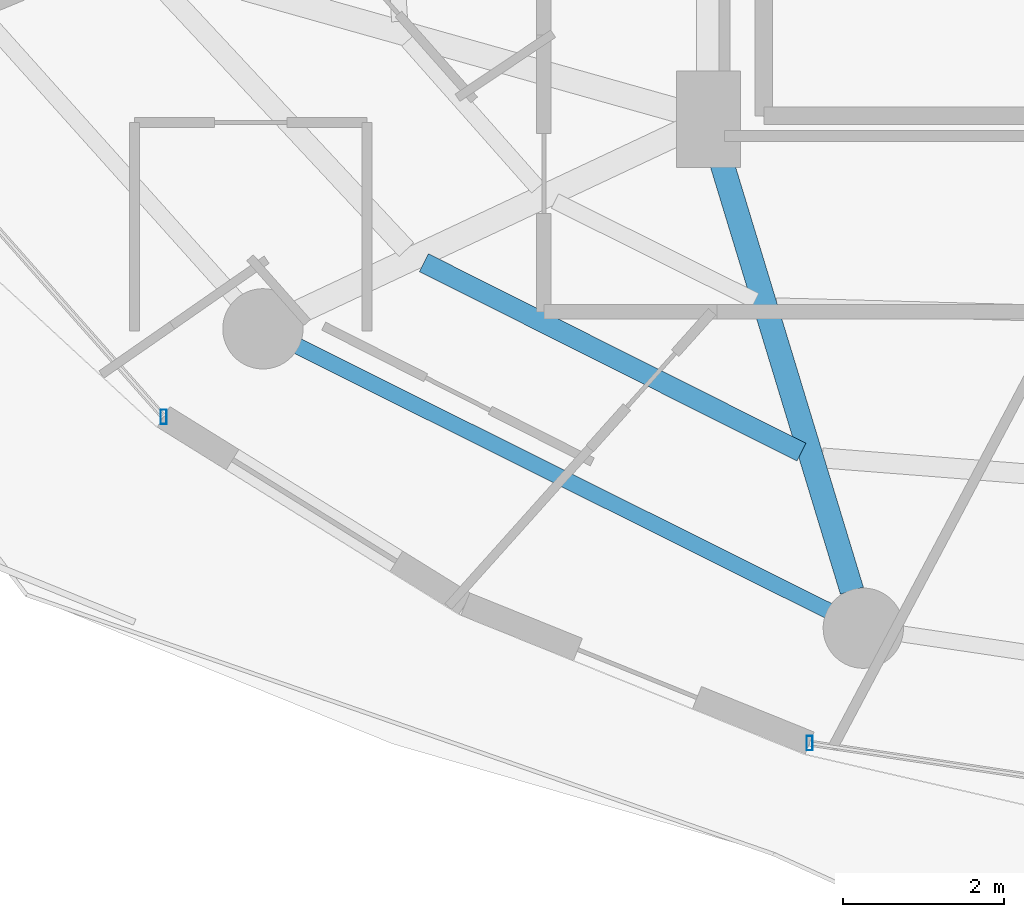
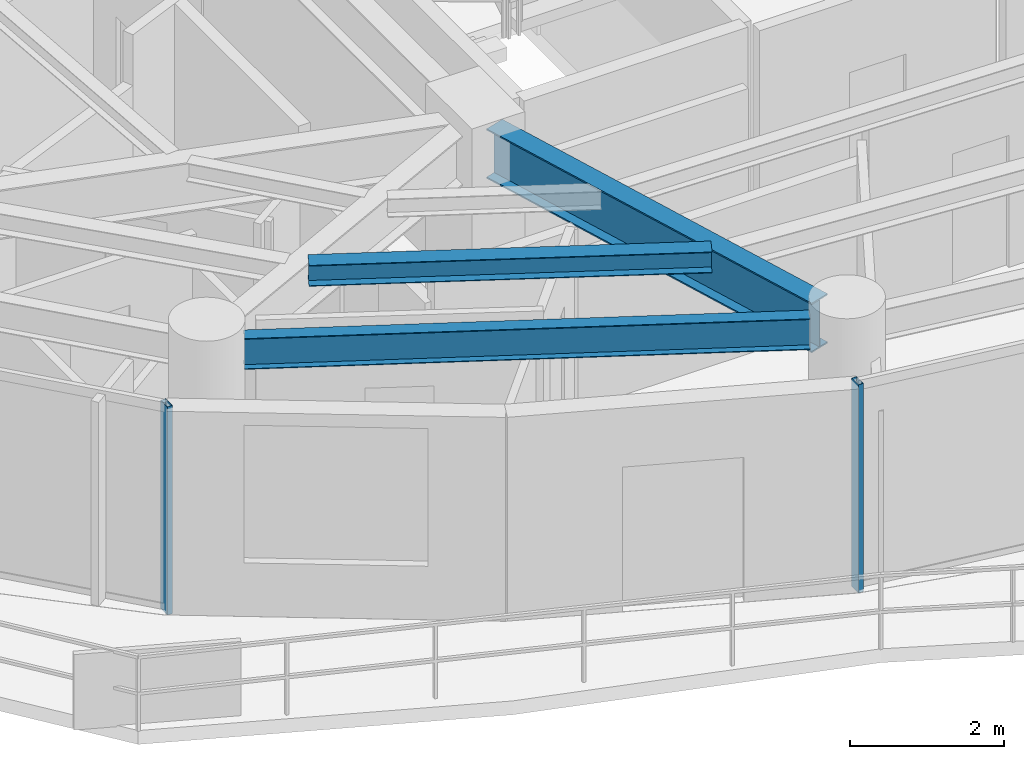
# One storey, part 2 of 28: 3 beams, 2 members, 2 elements without a shape of their own.
"""IFC4 building model written with IfcOpenShell, lengths in metres."""

from ifc_helpers import new_model, si_unit, direction, frame, origin, origin_2d, place, context, subcontext, project, spatial, hollow_rectangle, i_section, extrude, material, material_profile, profile_set, type_object, element, aggregate, save


model = new_model("IFC4")

# Units and contexts
model_context = context("Model", 3, precision=1e-05, world=origin(), true_north=direction((0.0, 1.0)))
body_context = subcontext(model_context, "Body", "Model", "MODEL_VIEW")
ifc_project = project(units=[si_unit("LENGTHUNIT", "METRE"), si_unit("AREAUNIT", "SQUARE_METRE"), si_unit("VOLUMEUNIT", "CUBIC_METRE"), si_unit("PLANEANGLEUNIT", "RADIAN"), si_unit("MASSUNIT", "GRAM", prefix="KILO")], contexts=[model_context])

# Site, building, storey
site_placement = place(None, origin())
site = spatial("IfcSite", under=ifc_project, at=site_placement, CompositionType="ELEMENT")
building_placement = place(site_placement, origin())
building = spatial("IfcBuilding", under=site, at=building_placement, Name="Vorneva Point Tower", CompositionType="ELEMENT")
storey_placement = place(building_placement, frame((0.0, 0.0, 160.60009765625)))
storey = spatial("IfcBuildingStorey", under=building, at=storey_placement, Name="L43", CompositionType="ELEMENT", Elevation=160.60009765625)

# Beams
ifc_material_1 = material(Name="Steel S355", Category="steel")
ifc_material_profile_1 = material_profile(ifc_material_1, i_section(OverallWidth=0.300048828125, OverallDepth=0.7880859375, WebThickness=0.014404296875, FlangeThickness=0.02197265625, at=origin_2d()), Name="80Sh1")
ifc_profile_set_1 = profile_set([ifc_material_profile_1], Name="Steel S355")
beam_type_1 = type_object("IfcBeamType", Name="BM-GRD-80Sh1", PredefinedType="USERDEFINED", material=ifc_profile_set_1)
beam_1_placement = place(storey_placement, frame((29.037109375, 10.576171875, 2.845947265625), z_axis=(-0.291049382966, 0.95670803105, 0.0), x_axis=(-0.95670803105, -0.291049382966, 0.0)))
element("IfcBeam", 1, at=beam_1_placement, inside=storey, type_object=beam_type_1, Name="L43 Radial Primary Girder 12", ObjectType="GIRDER", PredefinedType="USERDEFINED", context=body_context, shape_type="SweptSolid", body=[
    extrude(i_section(OverallWidth=0.300048828125, OverallDepth=0.7880859375, WebThickness=0.014404296875, FlangeThickness=0.02197265625, at=origin_2d()), origin(), (0.0, 0.0, 1.0), 5.799560546875),
])
ifc_material_profile_2 = material_profile(ifc_material_1, i_section(OverallWidth=0.2490234375, OverallDepth=0.333984375, WebThickness=0.008056640625, FlangeThickness=0.010986328125, at=origin_2d()), Name="35Sh1")
ifc_profile_set_2 = profile_set([ifc_material_profile_2], Name="Steel S355")
beam_type_2 = type_object("IfcBeamType", Name="BM-SEC-35Sh1", PredefinedType="BEAM", material=ifc_profile_set_2)
beam_2_placement = place(storey_placement, frame((23.7060546875, 14.66162109375, 3.072998046875), z_axis=(0.893776430112, -0.44851275676, 0.0), x_axis=(0.44851275676, 0.893776430112, 0.0)))
element("IfcBeam", 2, at=beam_2_placement, inside=storey, type_object=beam_type_2, Name="L43 Secondary Floor Beam 1.11", PredefinedType="BEAM", context=body_context, shape_type="SweptSolid", body=[
    extrude(i_section(OverallWidth=0.2490234375, OverallDepth=0.333984375, WebThickness=0.008056640625, FlangeThickness=0.010986328125, at=origin_2d()), origin(), (0.0, 0.0, 1.0), 5.260009765625),
])
ifc_material_profile_3 = material_profile(ifc_material_1, i_section(OverallWidth=0.199951171875, OverallDepth=0.491943359375, WebThickness=0.0087890625, FlangeThickness=0.011962890625, at=origin_2d()), Name="50B1")
ifc_profile_set_3 = profile_set([ifc_material_profile_3], Name="Steel S355")
beam_type_3 = type_object("IfcBeamType", Name="BM-SPN-50B1", PredefinedType="SPANDREL", material=ifc_profile_set_3)
beam_3_placement = place(storey_placement, frame((22.13525390625, 13.621337890625, 2.993896484375), z_axis=(0.894929061397, -0.446208443518, 0.0), x_axis=(0.446208443518, 0.894929061397, 0.0)))
element("IfcBeam", 3, at=beam_3_placement, inside=storey, type_object=beam_type_3, Name="L43 Perimeter Spandrel Ring Beam 11", PredefinedType="SPANDREL", context=body_context, shape_type="SweptSolid", body=[
    extrude(i_section(OverallWidth=0.199951171875, OverallDepth=0.491943359375, WebThickness=0.0087890625, FlangeThickness=0.011962890625, at=origin_2d()), origin(), (0.0, 0.0, 1.0), 7.385986328125),
])

# Curtain wall, member
ifc_material_2 = material(Name="Pale anodised aluminium", Category="aluminium")
curtain_wall_type = type_object("IfcCurtainWallType", Name="CW-RES-SYS", PredefinedType="NOTDEFINED", material=ifc_material_2)
curtain_wall_1_placement = place(storey_placement, origin())
curtain_wall_1 = element("IfcCurtainWall", 4, at=curtain_wall_1_placement, inside=storey, type_object=curtain_wall_type, Name="L43 Unitised Curtain Wall CW-L43-R03", PredefinedType="NOTDEFINED")
ifc_material_profile_4 = material_profile(ifc_material_2, hollow_rectangle(XDim=0.074951171875, YDim=0.179931640625, WallThickness=0.00390625, at=origin_2d()), Name="AL-MUL 180x75x4")
ifc_profile_set_4 = profile_set([ifc_material_profile_4], Name="Pale anodised aluminium")
member_type = type_object("IfcMemberType", Name="CW-MUL-180", PredefinedType="MULLION", material=ifc_profile_set_4)
member_1_placement = place(storey_placement, frame((20.4638671875, 12.74169921875, -0.0400390625), z_axis=(0.0, 0.0, 1.0), x_axis=(1.0, 0.0, 0.0)))
member_1 = element("IfcMember", 5, at=member_1_placement, type_object=member_type, Name="CW-L43-R03 Mullion 05", PredefinedType="MULLION", context=body_context, shape_type="SweptSolid", body=[
    extrude(hollow_rectangle(XDim=0.074951171875, YDim=0.179931640625, WallThickness=0.00390625, at=origin_2d()), origin(), (0.0, 0.0, 1.0), 3.31005859375),
])
aggregate(curtain_wall_1, [member_1])

curtain_wall_2_placement = place(storey_placement, origin())
curtain_wall_2 = element("IfcCurtainWall", 6, at=curtain_wall_2_placement, inside=storey, type_object=curtain_wall_type, Name="L43 Unitised Curtain Wall CW-L43-R04", PredefinedType="NOTDEFINED")
member_2_placement = place(storey_placement, frame((28.509521484375, 8.67724609375, -0.0400390625), z_axis=(0.0, 0.0, 1.0), x_axis=(1.0, 0.0, 0.0)))
member_2 = element("IfcMember", 7, at=member_2_placement, type_object=member_type, Name="CW-L43-R04 Mullion 01", PredefinedType="MULLION", context=body_context, shape_type="SweptSolid", body=[
    extrude(hollow_rectangle(XDim=0.074951171875, YDim=0.179931640625, WallThickness=0.00390625, at=origin_2d()), origin(), (0.0, 0.0, 1.0), 3.31005859375),
])
aggregate(curtain_wall_2, [member_2])

save(model, "model.ifc")
